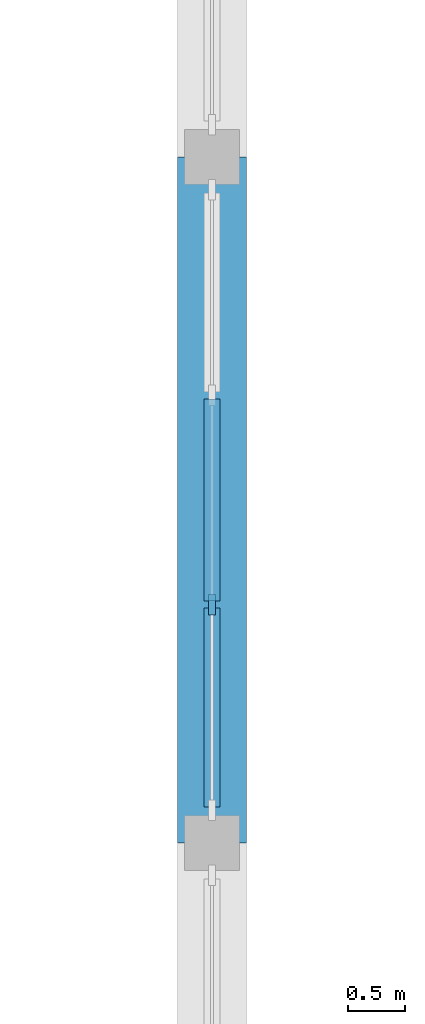
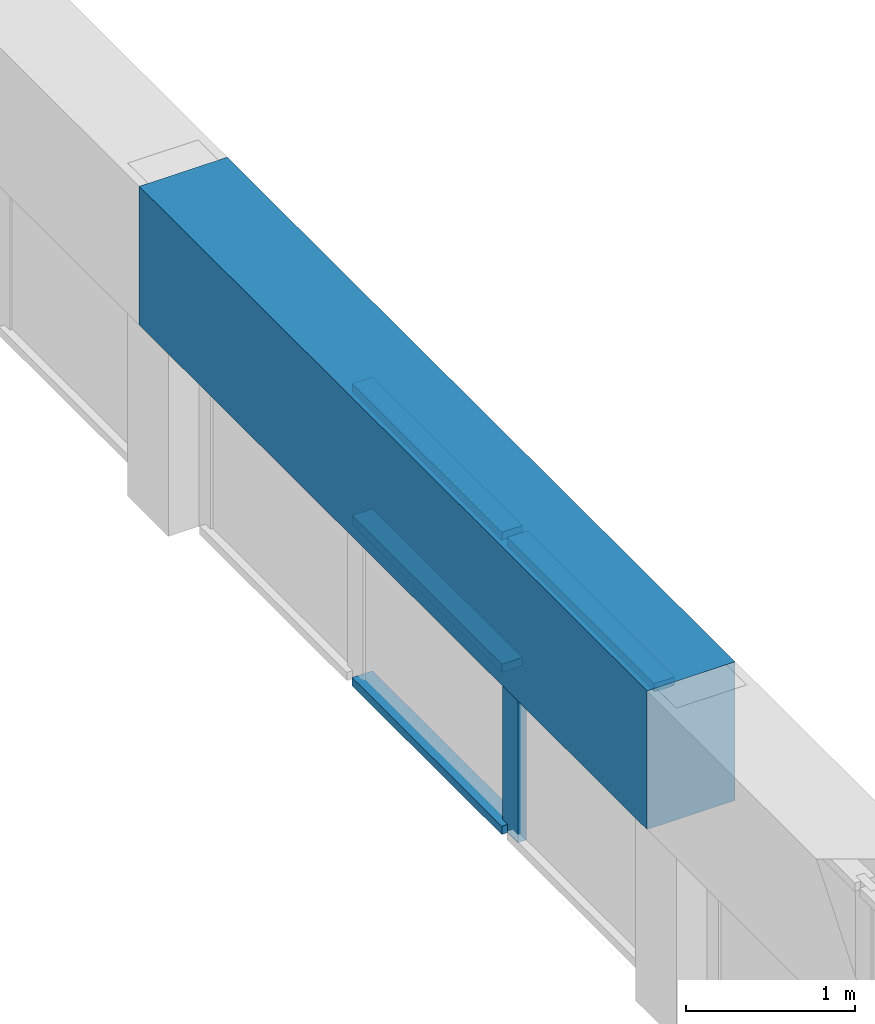
# One storey, part 10 of 45: 5 members, 1 beam, 1 element without a shape of its own.
"""IFC4 building model written with IfcOpenShell, lengths in metres."""

from ifc_helpers import new_model, si_unit, direction, frame, origin, origin_2d, place, context, subcontext, project, spatial, rectangle, extrude, material, layer, layer_set, material_profile, profile_set, type_object, element, aggregate, save


model = new_model("IFC4")

# Units and contexts
model_context = context("Model", 3, precision=1e-05, world=origin(), true_north=direction((0.0, 1.0)))
body_context = subcontext(model_context, "Body", "Model", "MODEL_VIEW")
ifc_project = project(units=[si_unit("LENGTHUNIT", "METRE"), si_unit("AREAUNIT", "SQUARE_METRE"), si_unit("VOLUMEUNIT", "CUBIC_METRE"), si_unit("PLANEANGLEUNIT", "RADIAN"), si_unit("MASSUNIT", "GRAM", prefix="KILO")], contexts=[model_context])

# Site, building, storey
site_placement = place(None, origin())
site = spatial("IfcSite", under=ifc_project, at=site_placement, CompositionType="ELEMENT")
building_placement = place(site_placement, origin())
building = spatial("IfcBuilding", under=site, at=building_placement, Name="Solvane Community Centre", CompositionType="ELEMENT")
storey_placement = place(building_placement, frame((0.0, 0.0, 13.800048828125)))
storey = spatial("IfcBuildingStorey", under=building, at=storey_placement, Name="L03", CompositionType="ELEMENT", Elevation=13.800048828125)

# Curtain wall, members
ifc_material_1 = material(Name="Anodised bronze aluminium AW-6063 T6", Category="aluminium")
ifc_layer = layer(ifc_material_1, 0.179931640625)
ifc_layer_set = layer_set([ifc_layer], Name="Anodised bronze aluminium AW-6063 T6")
curtain_wall_type = type_object("IfcCurtainWallType", Name="Hall Translucent Upper Curtain Wall [55x22dm]", PredefinedType="NOTDEFINED", material=ifc_layer_set)
curtain_wall_placement = place(storey_placement, origin())
curtain_wall = element("IfcCurtainWall", 1, at=curtain_wall_placement, inside=storey, type_object=curtain_wall_type, Name="Curtain Wall CW-L03-600_663-148", PredefinedType="NOTDEFINED")
ifc_material_profile_1 = material_profile(ifc_material_1, rectangle(XDim=0.06005859375, YDim=0.179931640625, at=origin_2d()), Name="CW-M 60x180")
ifc_profile_set_1 = profile_set([ifc_material_profile_1], Name="Anodised bronze aluminium AW-6063 T6")
member_type_1 = type_object("IfcMemberType", Name="Hall Mullion 60x180", PredefinedType="MULLION", material=ifc_profile_set_1)
member_1_placement = place(storey_placement, frame((60.0, 68.0849609375, 0.0), z_axis=(0.0, 0.0, 1.0), x_axis=(-1.0, 0.0, 0.0)))
member_1 = element("IfcMember", 2, at=member_1_placement, type_object=member_type_1, Name="CW01-55x22 mullion 2", PredefinedType="MULLION", context=body_context, shape_type="SweptSolid", body=[
    extrude(rectangle(XDim=0.06005859375, YDim=0.179931640625, at=origin_2d()), origin(), (0.0, 0.0, 1.0), 2.179931640625),
])
ifc_material_profile_2 = material_profile(ifc_material_1, rectangle(XDim=0.139892578125, YDim=0.06005859375, at=origin_2d()), Name="CW-T 60x140")
ifc_profile_set_2 = profile_set([ifc_material_profile_2], Name="Anodised bronze aluminium AW-6063 T6")
member_type_2 = type_object("IfcMemberType", Name="Hall Transom 60x140", PredefinedType="USERDEFINED", material=ifc_profile_set_2)
member_2_placement = place(storey_placement, frame((60.0, 66.31494140625, 2.14990234375), z_axis=(0.0, 1.0, 0.0), x_axis=(-1.0, 0.0, 0.0)))
member_2 = element("IfcMember", 3, at=member_2_placement, type_object=member_type_2, Name="CW01-55x22 transom 1.3", ObjectType="TRANSOM", PredefinedType="USERDEFINED", context=body_context, shape_type="SweptSolid", body=[
    extrude(rectangle(XDim=0.139892578125, YDim=0.06005859375, at=origin_2d()), origin(), (0.0, 0.0, 1.0), 1.739990234375),
])
member_3_placement = place(storey_placement, frame((60.0, 68.114990234375, 0.030029296875), z_axis=(0.0, 1.0, 0.0), x_axis=(-1.0, 0.0, 0.0)))
member_3 = element("IfcMember", 4, at=member_3_placement, type_object=member_type_2, Name="CW01-55x22 transom 2.1", ObjectType="TRANSOM", PredefinedType="USERDEFINED", context=body_context, shape_type="SweptSolid", body=[
    extrude(rectangle(XDim=0.139892578125, YDim=0.06005859375, at=origin_2d()), origin(), (0.0, 0.0, 1.0), 1.77001953125),
])
member_4_placement = place(storey_placement, frame((60.0, 68.114990234375, 1.198974609375), z_axis=(0.0, 1.0, 0.0), x_axis=(-1.0, 0.0, 0.0)))
member_4 = element("IfcMember", 5, at=member_4_placement, type_object=member_type_2, Name="CW01-55x22 transom 2.2", ObjectType="TRANSOM", PredefinedType="USERDEFINED", context=body_context, shape_type="SweptSolid", body=[
    extrude(rectangle(XDim=0.139892578125, YDim=0.06005859375, at=origin_2d()), origin(), (0.0, 0.0, 1.0), 1.77001953125),
])
member_5_placement = place(storey_placement, frame((60.0, 68.114990234375, 2.14990234375), z_axis=(0.0, 1.0, 0.0), x_axis=(-1.0, 0.0, 0.0)))
member_5 = element("IfcMember", 6, at=member_5_placement, type_object=member_type_2, Name="CW01-55x22 transom 2.3", ObjectType="TRANSOM", PredefinedType="USERDEFINED", context=body_context, shape_type="SweptSolid", body=[
    extrude(rectangle(XDim=0.139892578125, YDim=0.06005859375, at=origin_2d()), origin(), (0.0, 0.0, 1.0), 1.77001953125),
])
aggregate(curtain_wall, [member_1, member_2, member_3, member_4, member_5])

# Beam
ifc_material_2 = material(Name="Concrete C35/45", Category="concrete")
ifc_material_profile_3 = material_profile(ifc_material_2, rectangle(XDim=0.60009765625, YDim=1.0, at=origin_2d()), Name="RC 600x1000")
ifc_profile_set_3 = profile_set([ifc_material_profile_3], Name="Concrete C35/45")
beam_type = type_object("IfcBeamType", Name="RC Vault Thrust Ring Girder 600x1000", PredefinedType="USERDEFINED", material=ifc_profile_set_3)
beam_placement = place(storey_placement, frame((60.0, 66.0, 1.89990234375), z_axis=(0.0, 1.0, 0.0), x_axis=(-1.0, 0.0, 0.0)))
element("IfcBeam", 7, at=beam_placement, inside=storey, type_object=beam_type, Name="Beam BM-L03-600_660-600_720", ObjectType="GIRDER", PredefinedType="USERDEFINED", context=body_context, shape_type="SweptSolid", body=[
    extrude(rectangle(XDim=0.60009765625, YDim=1.0, at=origin_2d()), origin(), (0.0, 0.0, 1.0), 6.0),
])

save(model, "model.ifc")
